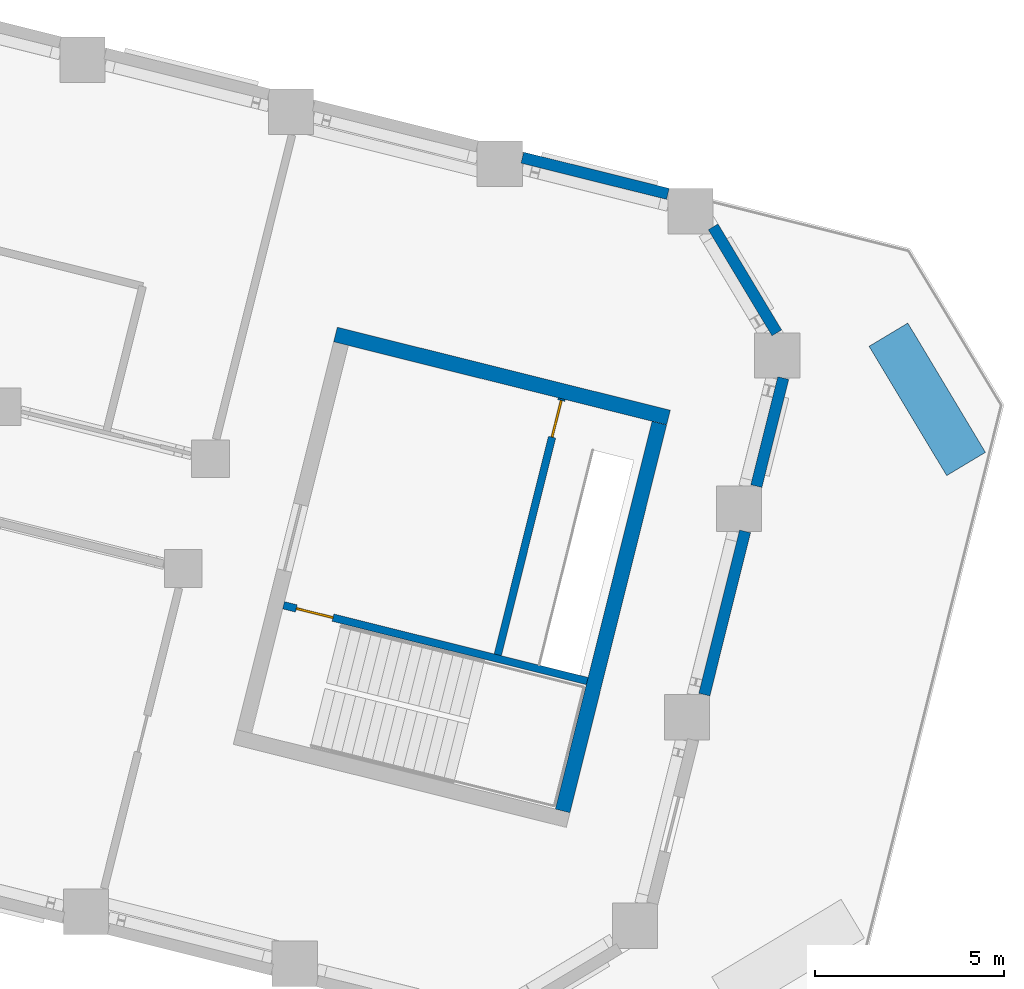
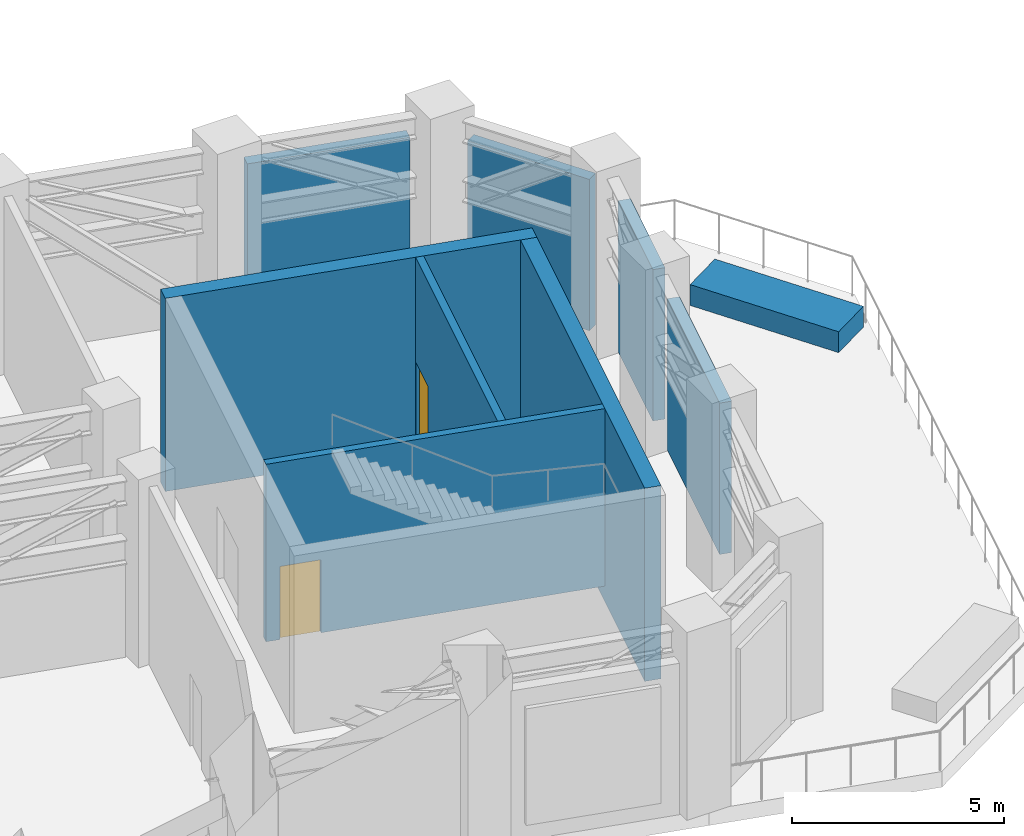
# One storey, part 10 of 14: 9 walls, 2 doors, 2 openings.
"""IFC4 building model written with IfcOpenShell, lengths in metres."""

from ifc_helpers import new_model, si_unit, direction, frame, frame_2d, origin, place, context, subcontext, project, spatial, rectangle, extrude, material, layer, layer_set, type_object, element, fill, save


model = new_model("IFC4")

# Units and contexts
model_context = context("Model", 3, precision=1e-05, world=origin(), true_north=direction((0.0, 1.0)))
body_context = subcontext(model_context, "Body", "Model", "MODEL_VIEW")
ifc_project = project(units=[si_unit("LENGTHUNIT", "METRE"), si_unit("AREAUNIT", "SQUARE_METRE"), si_unit("VOLUMEUNIT", "CUBIC_METRE"), si_unit("PLANEANGLEUNIT", "RADIAN"), si_unit("MASSUNIT", "GRAM", prefix="KILO")], contexts=[model_context])

# Site, building, storey
site_placement = place(None, origin())
site = spatial("IfcSite", under=ifc_project, at=site_placement, CompositionType="ELEMENT")
building_placement = place(site_placement, origin())
building = spatial("IfcBuilding", under=site, at=building_placement, Name="Meshkara Civic Tower", CompositionType="ELEMENT")
storey_placement = place(building_placement, frame((0.0, 0.0, 220.199951171875)))
storey = spatial("IfcBuildingStorey", under=building, at=storey_placement, Name="L50", CompositionType="ELEMENT", Elevation=220.199951171875)

# Walls
ifc_material_1 = material(Name="Insulated infill panel with bronze anodised aluminium cladding", Category="aluminium")
ifc_layer_1 = layer(ifc_material_1, 0.300048828125)
ifc_layer_set_1 = layer_set([ifc_layer_1], Name="EXTERNAL INFILL WALL 300")
wall_type_1 = type_object("IfcWallType", Name="EXTERNAL INFILL WALL 300", PredefinedType="SOLIDWALL", material=ifc_layer_set_1)
wall_1_placement = place(storey_placement, frame((70.993896484375, 5.64208984375, 0.0), z_axis=(0.0, 0.0, 1.0), x_axis=(-0.970265116599, 0.242044631238, 0.0)))
element("IfcWall", 1, at=wall_1_placement, inside=storey, type_object=wall_type_1, Name="External wall", PredefinedType="SOLIDWALL", context=body_context, shape_type="SweptSolid", body=[
    extrude(rectangle(XDim=3.978271484375, YDim=0.300048828125, at=frame_2d((1.9892578125, 0.0))), origin(), (0.0, 0.0, 1.0), 4.35009765625),
])
wall_2_placement = place(storey_placement, frame((71.9599609375, -7.635009765625, 0.0), z_axis=(0.0, 0.0, 1.0), x_axis=(0.242020707977, 0.970271084239, 0.0)))
element("IfcWall", 2, at=wall_2_placement, inside=storey, type_object=wall_type_1, Name="External wall", PredefinedType="SOLIDWALL", context=body_context, shape_type="SweptSolid", body=[
    extrude(rectangle(XDim=4.462646484375, YDim=0.300048828125, at=frame_2d((2.2314453125, 0.0))), origin(), (0.0, 0.0, 1.0), 4.35009765625),
])
wall_3_placement = place(storey_placement, frame((73.339111328125, -2.10498046875, 0.0), z_axis=(0.0, 0.0, 1.0), x_axis=(0.241932062059, 0.970293191437, 0.0)))
element("IfcWall", 3, at=wall_3_placement, inside=storey, type_object=wall_type_1, Name="External wall", PredefinedType="SOLIDWALL", context=body_context, shape_type="SweptSolid", body=[
    extrude(rectangle(XDim=2.95068359375, YDim=0.300048828125, at=frame_2d((1.475341796875, 0.0))), origin(), (0.0, 0.0, 1.0), 4.35009765625),
])
wall_4_placement = place(storey_placement, frame((73.882080078125, 1.9580078125, 0.0), z_axis=(0.0, 0.0, 1.0), x_axis=(-0.514933788117, 0.857229953895, 0.0)))
element("IfcWall", 4, at=wall_4_placement, inside=storey, type_object=wall_type_1, Name="External wall", PredefinedType="SOLIDWALL", context=body_context, shape_type="SweptSolid", body=[
    extrude(rectangle(XDim=3.278076171875, YDim=0.300048828125, at=frame_2d((1.63916015625, 0.0))), origin(), (0.0, 0.0, 1.0), 4.35009765625),
])
ifc_material_2 = material(Name="Concrete C70", Category="concrete")
ifc_layer_2 = layer(ifc_material_2, 0.39990234375)
ifc_layer_set_2 = layer_set([ifc_layer_2], Name="End core ring wall 400 C70")
wall_type_2 = type_object("IfcWallType", Name="End core ring wall 400 C70", PredefinedType="SHEAR", material=ifc_layer_set_2)
wall_5_placement = place(storey_placement, frame((62.179931640625, 1.9140625, -0.449951171875), z_axis=(0.0, 0.0, 1.0), x_axis=(0.970306400786, -0.241879078453, 0.0)))
element("IfcWall", 5, at=wall_5_placement, inside=storey, type_object=wall_type_2, Name="L50-C027", PredefinedType="SHEAR", context=body_context, shape_type="SweptSolid", body=[
    extrude(rectangle(XDim=9.100341796875, YDim=0.39990234375, at=frame_2d((4.55029296875, 0.0))), origin(), (0.0, 0.0, 1.0), 5.550048828125),
])
wall_6_placement = place(storey_placement, frame((68.202880859375, -10.718017578125, -0.449951171875), z_axis=(0.0, 0.0, 1.0), x_axis=(0.241912337509, 0.970298109326, 0.0)))
element("IfcWall", 6, at=wall_6_placement, inside=storey, type_object=wall_type_2, Name="L50-C029", PredefinedType="SHEAR", context=body_context, shape_type="SweptSolid", body=[
    extrude(rectangle(XDim=10.599853515625, YDim=0.39990234375, at=frame_2d((5.2998046875, 0.0))), origin(), (0.0, 0.0, 1.0), 5.550048828125),
])
ifc_material_3 = material(Name="Concrete C40", Category="concrete")
ifc_layer_3 = layer(ifc_material_3, 1.199951171875)
ifc_layer_set_3 = layer_set([ifc_layer_3], Name="PLANTING BED")
wall_type_3 = type_object("IfcWallType", Name="PLANTING BED", PredefinedType="SOLIDWALL", material=ifc_layer_set_3)
wall_7_placement = place(storey_placement, frame((76.841064453125, 1.909912109375, 0.0), z_axis=(0.0, 0.0, 1.0), x_axis=(0.514944464906, -0.857223540311, 0.0)))
element("IfcWall", 7, at=wall_7_placement, inside=storey, type_object=wall_type_3, Name="Planting bed", PredefinedType="SOLIDWALL", context=body_context, shape_type="SweptSolid", body=[
    extrude(rectangle(XDim=4.0, YDim=1.199951171875, at=frame_2d((2.0, 0.0))), origin(), (0.0, 0.0, 1.0), 0.60009765625),
])

# Wall, opening, door
ifc_material_4 = material(Name="Concrete C40/50", Category="concrete")
ifc_layer_4 = layer(ifc_material_4, 0.199951171875)
ifc_layer_set_4 = layer_set([ifc_layer_4], Name="Stair enclosure wall 200 C40/50")
wall_type_4 = type_object("IfcWallType", Name="Stair enclosure wall 200 C40/50", PredefinedType="SOLIDWALL", material=ifc_layer_set_4)
wall_8_placement = place(storey_placement, frame((60.802001953125, -5.26611328125, 0.0), z_axis=(0.0, 0.0, 1.0), x_axis=(0.970303192681, -0.241891947516, 0.0)))
wall_8 = element("IfcWall", 8, at=wall_8_placement, inside=storey, type_object=wall_type_4, Name="L50-C030", PredefinedType="SOLIDWALL", context=body_context, shape_type="SweptSolid", body=[
    extrude(rectangle(XDim=8.300537109375, YDim=0.199951171875, at=frame_2d((4.150390625, 0.0))), origin(), (0.0, 0.0, 1.0), 5.10009765625),
])
opening_1_placement = place(wall_8_placement, frame((0.35009765625, 0.0, 0.0)))
opening_1 = element("IfcOpeningElement", 9, at=opening_1_placement, cuts=wall_8, Name="Opening L50-K201", PredefinedType="OPENING", context=body_context, shape_type="SweptSolid", body=[
    extrude(rectangle(XDim=1.0, YDim=2.10009765625, at=frame_2d((0.5, 1.050048828125))), frame((0.0, 0.10986328125, 0.0), z_axis=(0.0, -1.0, 0.0), x_axis=(1.0, 0.0, 0.0)), (0.0, 0.0, 1.0), 0.219970703125),
])
ifc_material_5 = material(Name="Fire-rated door leaf in steel frame", Category="steel")
door_type = type_object("IfcDoorType", Name="Stair door 1000 EI 120", OperationType="SINGLE_SWING_LEFT", PredefinedType="DOOR", material=ifc_material_5)
door_1_placement = place(opening_1_placement, origin())
door_1 = element("IfcDoor", 10, at=door_1_placement, inside=storey, type_object=door_type, Name="L50-K201", OperationType="SINGLE_SWING_LEFT", OverallHeight=2.10009765625, OverallWidth=1.0, PredefinedType="DOOR", context=body_context, shape_type="SweptSolid", body=[
    extrude(rectangle(XDim=1.0, YDim=2.10009765625, at=frame_2d((0.5, 1.050048828125))), frame((0.0, 0.02490234375, 0.0), z_axis=(0.0, -1.0, 0.0), x_axis=(1.0, 0.0, 0.0)), (0.0, 0.0, 1.0), 0.050048828125),
])
fill(opening_1, door_1)

wall_9_placement = place(storey_placement, frame((66.48291015625, -6.5791015625, 0.0), z_axis=(0.0, 0.0, 1.0), x_axis=(0.242010385333, 0.970273659022, 0.0)))
wall_9 = element("IfcWall", 11, at=wall_9_placement, inside=storey, type_object=wall_type_4, Name="L50-C031", PredefinedType="SOLIDWALL", context=body_context, shape_type="SweptSolid", body=[
    extrude(rectangle(XDim=7.0, YDim=0.199951171875, at=frame_2d((3.5, 0.0))), origin(), (0.0, 0.0, 1.0), 5.10009765625),
])
opening_2_placement = place(wall_9_placement, frame((5.949951171875, 0.0, 0.0)))
opening_2 = element("IfcOpeningElement", 12, at=opening_2_placement, cuts=wall_9, Name="Opening L50-K290", PredefinedType="OPENING", context=body_context, shape_type="SweptSolid", body=[
    extrude(rectangle(XDim=1.0, YDim=2.10009765625, at=frame_2d((0.5, 1.050048828125))), frame((0.0, 0.10986328125, 0.0), z_axis=(0.0, -1.0, 0.0), x_axis=(1.0, 0.0, 0.0)), (0.0, 0.0, 1.0), 0.219970703125),
])
door_2_placement = place(opening_2_placement, origin())
door_2 = element("IfcDoor", 13, at=door_2_placement, inside=storey, type_object=door_type, Name="L50-K290", OperationType="SINGLE_SWING_RIGHT", OverallHeight=2.10009765625, OverallWidth=1.0, PredefinedType="DOOR", context=body_context, shape_type="SweptSolid", body=[
    extrude(rectangle(XDim=1.0, YDim=2.10009765625, at=frame_2d((0.5, 1.050048828125))), frame((0.0, 0.02490234375, 0.0), z_axis=(0.0, -1.0, 0.0), x_axis=(1.0, 0.0, 0.0)), (0.0, 0.0, 1.0), 0.050048828125),
])
fill(opening_2, door_2)

save(model, "model.ifc")
